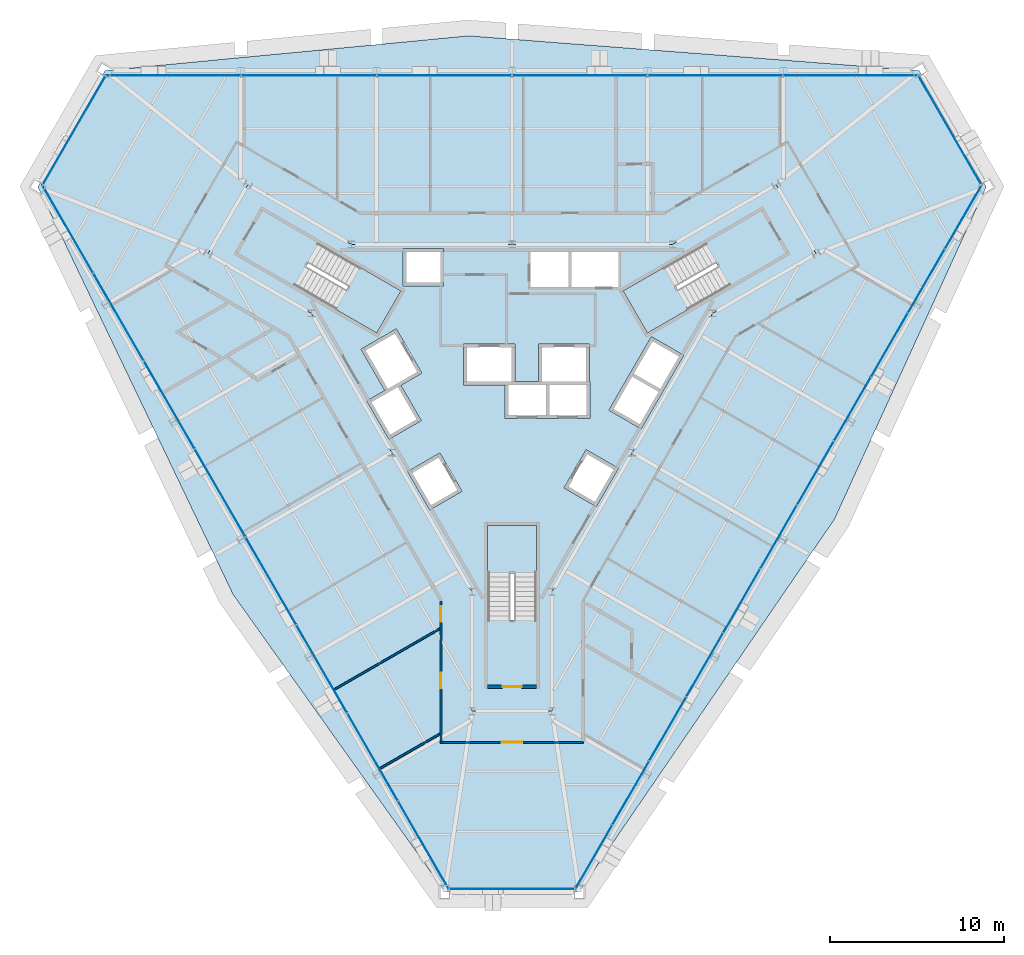
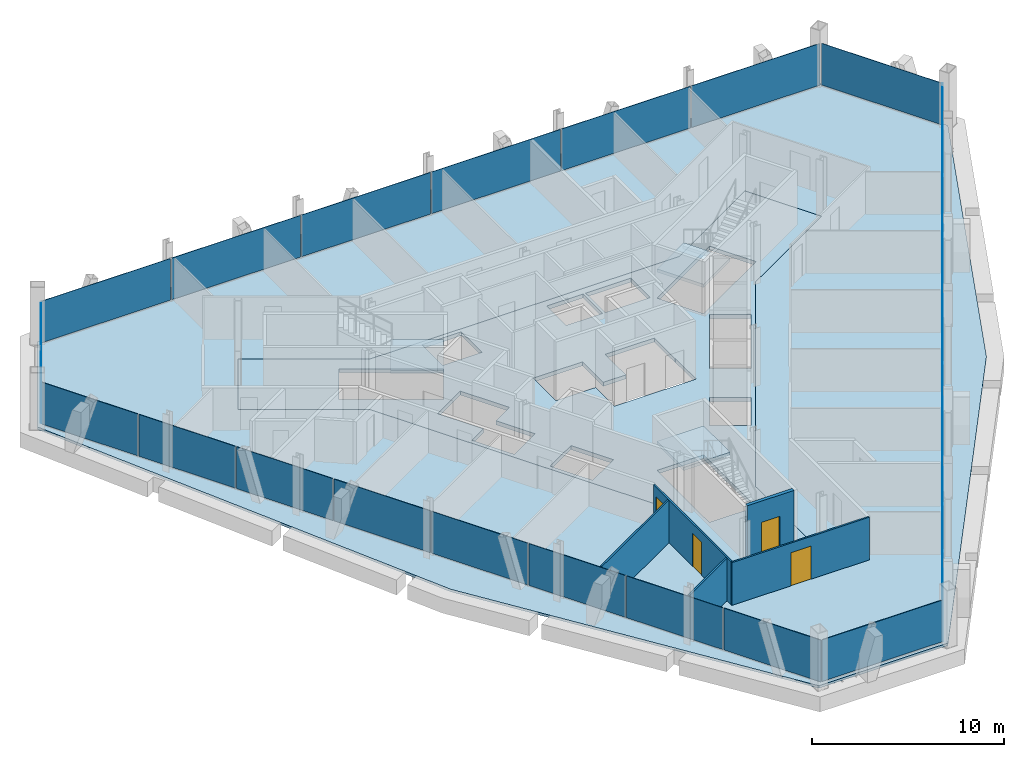
# One storey, part 11 of 17: 28 plates, 5 slabs, 5 walls, 4 doors, 4 openings, 9 elements without a shape of their own.
"""IFC4 building model written with IfcOpenShell, lengths in metres."""

from ifc_helpers import new_model, si_unit, direction, frame, frame_2d, origin, origin_2d, place, context, subcontext, project, spatial, polyline, rectangle, outline, extrude, material, layer, layer_set, type_object, element, fill, aggregate, save


model = new_model("IFC4")

# Units and contexts
model_context = context("Model", 3, precision=1e-05, world=origin(), true_north=direction((0.0, 1.0)))
body_context = subcontext(model_context, "Body", "Model", "MODEL_VIEW")
ifc_project = project(units=[si_unit("LENGTHUNIT", "METRE"), si_unit("AREAUNIT", "SQUARE_METRE"), si_unit("VOLUMEUNIT", "CUBIC_METRE"), si_unit("PLANEANGLEUNIT", "RADIAN"), si_unit("MASSUNIT", "GRAM", prefix="KILO")], contexts=[model_context])

# Site, building, storey
site_placement = place(None, origin())
site = spatial("IfcSite", under=ifc_project, at=site_placement, CompositionType="ELEMENT")
building_placement = place(site_placement, origin())
building = spatial("IfcBuilding", under=site, at=building_placement, Name="Verrane Prism Tower", CompositionType="ELEMENT")
storey_placement = place(building_placement, frame((0.0, 0.0, 182.10009765625)))
storey = spatial("IfcBuildingStorey", under=building, at=storey_placement, Name="L45", CompositionType="ELEMENT", Elevation=182.10009765625)

# Slabs
ifc_material_1 = material(Name="Concrete C35/45", Category="concrete")
ifc_layer_1 = layer(ifc_material_1, 0.159912109375)
ifc_layer_set_1 = layer_set([ifc_layer_1], Name="Composite floor slab")
slab_type_1 = type_object("IfcSlabType", Name="Composite floor slab", PredefinedType="FLOOR", material=ifc_layer_set_1)
slab_1_placement = place(storey_placement, frame((0.0, 0.0, -0.16015625)))
element("IfcSlab", 1, at=slab_1_placement, inside=storey, type_object=slab_type_1, Name="Floor slab L45", PredefinedType="FLOOR", context=body_context, shape_type="SweptSolid", body=[
    extrude(outline(polyline([(18.580078125, -7.838623046875), (3.87109375, -29.315185546875), (-3.87109375, -29.315185546875), (-16.078369140625, -12.17138671875), (-27.3232421875, 11.30517578125), (-23.4521484375, 18.010009765625), (-2.501708984375, 20.010009765625), (23.4521484375, 18.010009765625), (27.3232421875, 11.30517578125), (18.580078125, -7.838623046875)]), holes=[polyline([(17.52001953125, 7.4599609375), (15.219970703125, 11.43994140625), (9.260009765625, 8.0), (0.0, 8.0), (-9.260009765625, 8.0), (-15.219970703125, 11.43994140625), (-17.52001953125, 7.4599609375), (-11.56005859375, 4.02001953125), (-6.929931640625, -4.0), (-2.300048828125, -12.02001953125), (-2.300048828125, -18.89990234375), (2.300048828125, -18.89990234375), (2.300048828125, -12.02001953125), (6.929931640625, -4.0), (11.56005859375, 4.02001953125), (17.52001953125, 7.4599609375)])]), origin(), (0.0, 0.0, 1.0), 0.16015625),
])
ifc_material_2 = material(Name="Concrete C40/50", Category="concrete")
ifc_layer_2 = layer(ifc_material_2, 0.25)
ifc_layer_set_2 = layer_set([ifc_layer_2], Name="Core floor slab 250 concrete C40/50")
slab_type_2 = type_object("IfcSlabType", Name="Core floor slab 250 concrete C40/50", PredefinedType="FLOOR", material=ifc_layer_set_2)
slab_2_placement = place(storey_placement, frame((0.0, 0.0, -0.25)))
element("IfcSlab", 2, at=slab_2_placement, inside=storey, type_object=slab_type_2, Name="Core floor L45", PredefinedType="FLOOR", context=body_context, shape_type="SweptSolid", body=[
    extrude(outline(polyline([(11.56005859375, 4.02001953125), (17.52001953125, 7.4599609375), (15.219970703125, 11.43994140625), (9.260009765625, 8.0), (0.0, 8.0), (-9.260009765625, 8.0), (-15.219970703125, 11.43994140625), (-17.52001953125, 7.4599609375), (-11.56005859375, 4.02001953125), (-6.929931640625, -4.0), (-2.300048828125, -12.02001953125), (-2.300048828125, -18.89990234375), (2.300048828125, -18.89990234375), (2.300048828125, -12.02001953125), (6.929931640625, -4.0), (11.56005859375, 4.02001953125)]), holes=[polyline([(1.39990234375, -8.199951171875), (1.39990234375, -13.639892578125), (-1.39990234375, -13.639892578125), (-1.39990234375, -8.199951171875), (1.39990234375, -8.199951171875)]), polyline([(-2.881103515625, -6.22998046875), (-4.742919921875, -7.304931640625), (-6.01806640625, -5.096923828125), (-4.156005859375, -4.02197265625), (-2.881103515625, -6.22998046875)]), polyline([(-7.801025390625, 2.887939453125), (-12.512939453125, 5.60791015625), (-11.113037109375, 8.031982421875), (-6.40087890625, 5.31201171875), (-7.801025390625, 2.887939453125)]), polyline([(-6.284912109375, 5.610107421875), (-6.284912109375, 7.760009765625), (-3.93505859375, 7.760009765625), (-3.93505859375, 5.610107421875), (-6.284912109375, 5.610107421875)]), polyline([(4.26611328125, -3.8310546875), (6.1279296875, -4.906005859375), (4.85302734375, -7.114990234375), (2.990966796875, -6.0400390625), (4.26611328125, -3.8310546875)]), polyline([(7.43798828125, -2.636962890625), (5.575927734375, -1.56201171875), (8.02587890625, 2.680908203125), (9.887939453125, 1.60595703125), (7.43798828125, -2.636962890625)]), polyline([(0.1650390625, 0.10009765625), (1.52490234375, 0.10009765625), (1.52490234375, 2.25), (4.47509765625, 2.25), (4.47509765625, 0.10009765625), (4.4951171875, 0.10009765625), (4.4951171875, -2.050048828125), (-0.405029296875, -2.050048828125), (-0.405029296875, -0.10009765625), (-2.784912109375, -0.10009765625), (-2.784912109375, 2.25), (0.1650390625, 2.25), (0.1650390625, 0.10009765625)]), polyline([(6.40087890625, 5.31201171875), (11.113037109375, 8.031982421875), (12.512939453125, 5.60791015625), (7.801025390625, 2.887939453125), (6.40087890625, 5.31201171875)]), polyline([(1.074951171875, 5.534912109375), (1.074951171875, 7.56005859375), (3.264892578125, 7.56005859375), (3.264892578125, 5.534912109375), (1.074951171875, 5.534912109375)]), polyline([(3.4150390625, 7.56005859375), (6.125, 7.56005859375), (6.125, 5.534912109375), (3.4150390625, 5.534912109375), (3.4150390625, 7.56005859375)]), polyline([(-5.23095703125, -2.159912109375), (-7.093017578125, -3.235107421875), (-8.367919921875, -1.02587890625), (-7.3291015625, -0.426025390625), (-8.7041015625, 1.955078125), (-6.66796875, 3.1298828125), (-5.193115234375, 0.574951171875), (-6.406005859375, -0.125), (-5.23095703125, -2.159912109375)])]), origin(), (0.0, 0.0, 1.0), 0.25),
])

# Curtain wall, plates
ifc_material_3 = material(Name="Aluminium framed insulated glazing", Category="aluminium")
curtain_wall_type_1 = type_object("IfcCurtainWallType", Name="Curtain wall CW-C 4200 module", PredefinedType="NOTDEFINED", material=ifc_material_3)
curtain_wall_1_placement = place(storey_placement, origin())
curtain_wall_1 = element("IfcCurtainWall", 3, at=curtain_wall_1_placement, inside=storey, type_object=curtain_wall_type_1, Name="Glazed curtain wall south-east face L45", PredefinedType="NOTDEFINED")
ifc_material_4 = material(Name="Low-iron insulating glass unit", Category="glass")
ifc_layer_3 = layer(ifc_material_4, 0.02392578125)
ifc_layer_set_3 = layer_set([ifc_layer_3], Name="Glazing panel IGU 24")
plate_type_1 = type_object("IfcPlateType", Name="Glazing panel IGU 24", PredefinedType="CURTAIN_PANEL", material=ifc_layer_set_3)
plate_1_placement = place(storey_placement, frame((4.7216796875, -27.283935546875, 0.0498046875), z_axis=(0.0, 0.0, 1.0), x_axis=(0.499999427701, 0.866025734201, 0.0)))
plate_1 = element("IfcPlate", 4, at=plate_1_placement, type_object=plate_type_1, Name="CW44.6 panel 1", PredefinedType="CURTAIN_PANEL", context=body_context, shape_type="SweptSolid", body=[
    extrude(rectangle(XDim=4.18115234375, YDim=0.02392578125, at=origin_2d()), origin(), (0.0, 0.0, 1.0), 2.662841796875),
])
plate_2_placement = place(storey_placement, frame((6.84326171875, -23.60888671875, 0.0498046875), z_axis=(0.0, 0.0, 1.0), x_axis=(0.499999427701, 0.866025734201, 0.0)))
plate_2 = element("IfcPlate", 5, at=plate_2_placement, type_object=plate_type_1, Name="CW44.6 panel 2", PredefinedType="CURTAIN_PANEL", context=body_context, shape_type="SweptSolid", body=[
    extrude(rectangle(XDim=4.2060546875, YDim=0.02392578125, at=origin_2d()), origin(), (0.0, 0.0, 1.0), 2.662841796875),
])
plate_3_placement = place(storey_placement, frame((8.971435546875, -19.923095703125, 0.0498046875), z_axis=(0.0, 0.0, 1.0), x_axis=(0.499999427701, 0.866025734201, 0.0)))
plate_3 = element("IfcPlate", 6, at=plate_3_placement, type_object=plate_type_1, Name="CW44.6 panel 3", PredefinedType="CURTAIN_PANEL", context=body_context, shape_type="SweptSolid", body=[
    extrude(rectangle(XDim=4.2060546875, YDim=0.02392578125, at=origin_2d()), origin(), (0.0, 0.0, 1.0), 2.662841796875),
])
plate_4_placement = place(storey_placement, frame((11.099365234375, -16.2373046875, 0.0498046875), z_axis=(0.0, 0.0, 1.0), x_axis=(0.499999427701, 0.866025734201, 0.0)))
plate_4 = element("IfcPlate", 7, at=plate_4_placement, type_object=plate_type_1, Name="CW44.6 panel 4", PredefinedType="CURTAIN_PANEL", context=body_context, shape_type="SweptSolid", body=[
    extrude(rectangle(XDim=4.2060546875, YDim=0.02392578125, at=origin_2d()), origin(), (0.0, 0.0, 1.0), 2.662841796875),
])
plate_5_placement = place(storey_placement, frame((13.2275390625, -12.55126953125, 0.0498046875), z_axis=(0.0, 0.0, 1.0), x_axis=(0.499999427701, 0.866025734201, 0.0)))
plate_5 = element("IfcPlate", 8, at=plate_5_placement, type_object=plate_type_1, Name="CW44.6 panel 5", PredefinedType="CURTAIN_PANEL", context=body_context, shape_type="SweptSolid", body=[
    extrude(rectangle(XDim=4.2060546875, YDim=0.02392578125, at=origin_2d()), origin(), (0.0, 0.0, 1.0), 2.662841796875),
])
plate_6_placement = place(storey_placement, frame((15.35546875, -8.865478515625, 0.0498046875), z_axis=(0.0, 0.0, 1.0), x_axis=(0.499999427701, 0.866025734201, 0.0)))
plate_6 = element("IfcPlate", 9, at=plate_6_placement, type_object=plate_type_1, Name="CW44.6 panel 6", PredefinedType="CURTAIN_PANEL", context=body_context, shape_type="SweptSolid", body=[
    extrude(rectangle(XDim=4.2060546875, YDim=0.02392578125, at=origin_2d()), origin(), (0.0, 0.0, 1.0), 2.662841796875),
])
plate_7_placement = place(storey_placement, frame((17.483642578125, -5.1796875, 0.0498046875), z_axis=(0.0, 0.0, 1.0), x_axis=(0.499999427701, 0.866025734201, 0.0)))
plate_7 = element("IfcPlate", 10, at=plate_7_placement, type_object=plate_type_1, Name="CW44.6 panel 7", PredefinedType="CURTAIN_PANEL", context=body_context, shape_type="SweptSolid", body=[
    extrude(rectangle(XDim=4.2060546875, YDim=0.02392578125, at=origin_2d()), origin(), (0.0, 0.0, 1.0), 2.662841796875),
])
plate_8_placement = place(storey_placement, frame((19.611572265625, -1.49365234375, 0.0498046875), z_axis=(0.0, 0.0, 1.0), x_axis=(0.499999427701, 0.866025734201, 0.0)))
plate_8 = element("IfcPlate", 11, at=plate_8_placement, type_object=plate_type_1, Name="CW44.6 panel 8", PredefinedType="CURTAIN_PANEL", context=body_context, shape_type="SweptSolid", body=[
    extrude(rectangle(XDim=4.2060546875, YDim=0.02392578125, at=origin_2d()), origin(), (0.0, 0.0, 1.0), 2.662841796875),
])
plate_9_placement = place(storey_placement, frame((21.739501953125, 2.192138671875, 0.0498046875), z_axis=(0.0, 0.0, 1.0), x_axis=(0.499999427701, 0.866025734201, 0.0)))
plate_9 = element("IfcPlate", 12, at=plate_9_placement, type_object=plate_type_1, Name="CW44.6 panel 9", PredefinedType="CURTAIN_PANEL", context=body_context, shape_type="SweptSolid", body=[
    extrude(rectangle(XDim=4.2060546875, YDim=0.02392578125, at=origin_2d()), origin(), (0.0, 0.0, 1.0), 2.662841796875),
])
plate_10_placement = place(storey_placement, frame((23.86767578125, 5.8779296875, 0.0498046875), z_axis=(0.0, 0.0, 1.0), x_axis=(0.499999427701, 0.866025734201, 0.0)))
plate_10 = element("IfcPlate", 13, at=plate_10_placement, type_object=plate_type_1, Name="CW44.6 panel 10", PredefinedType="CURTAIN_PANEL", context=body_context, shape_type="SweptSolid", body=[
    extrude(rectangle(XDim=4.2060546875, YDim=0.02392578125, at=origin_2d()), origin(), (0.0, 0.0, 1.0), 2.662841796875),
])
plate_11_placement = place(storey_placement, frame((26.001953125, 9.57470703125, 0.0498046875), z_axis=(0.0, 0.0, 1.0), x_axis=(0.499999427701, 0.866025734201, 0.0)))
plate_11 = element("IfcPlate", 14, at=plate_11_placement, type_object=plate_type_1, Name="CW44.6 panel 11", PredefinedType="CURTAIN_PANEL", context=body_context, shape_type="SweptSolid", body=[
    extrude(rectangle(XDim=4.23095703125, YDim=0.02392578125, at=origin_2d()), origin(), (0.0, 0.0, 1.0), 2.662841796875),
])
aggregate(curtain_wall_1, [plate_1, plate_2, plate_3, plate_4, plate_5, plate_6, plate_7, plate_8, plate_9, plate_10, plate_11])

ifc_material_5 = material(Name="Aluminium framed insulated glazing", Category="aluminium")
curtain_wall_type_2 = type_object("IfcCurtainWallType", Name="Curtain wall CW-B 5600 module", PredefinedType="NOTDEFINED", material=ifc_material_5)
curtain_wall_2_placement = place(storey_placement, origin())
curtain_wall_2 = element("IfcCurtainWall", 15, at=curtain_wall_2_placement, inside=storey, type_object=curtain_wall_type_2, Name="Glazed curtain wall south-west face L45", PredefinedType="NOTDEFINED")
ifc_material_6 = material(Name="Low-iron insulating glass unit", Category="glass")
ifc_layer_4 = layer(ifc_material_6, 0.028076171875)
ifc_layer_set_4 = layer_set([ifc_layer_4], Name="Glazing panel IGU 28")
plate_type_2 = type_object("IfcPlateType", Name="Glazing panel IGU 28", PredefinedType="CURTAIN_PANEL", material=ifc_layer_set_4)
plate_12_placement = place(storey_placement, frame((-25.589111328125, 8.85986328125, 0.059814453125), z_axis=(0.0, 0.0, 1.0), x_axis=(0.499999427701, -0.866025734201, 0.0)))
plate_12 = element("IfcPlate", 16, at=plate_12_placement, type_object=plate_type_2, Name="CW44.4 panel 1", PredefinedType="CURTAIN_PANEL", context=body_context, shape_type="SweptSolid", body=[
    extrude(rectangle(XDim=5.76220703125, YDim=0.028076171875, at=origin_2d()), origin(), (0.0, 0.0, 1.0), 2.65283203125),
])
plate_13_placement = place(storey_placement, frame((-22.670654296875, 3.8046875, 0.059814453125), z_axis=(0.0, 0.0, 1.0), x_axis=(0.499999427701, -0.866025734201, 0.0)))
plate_13 = element("IfcPlate", 17, at=plate_13_placement, type_object=plate_type_2, Name="CW44.4 panel 2", PredefinedType="CURTAIN_PANEL", context=body_context, shape_type="SweptSolid", body=[
    extrude(rectangle(XDim=5.7919921875, YDim=0.028076171875, at=origin_2d()), origin(), (0.0, 0.0, 1.0), 2.65283203125),
])
plate_14_placement = place(storey_placement, frame((-19.74462890625, -1.263427734375, 0.059814453125), z_axis=(0.0, 0.0, 1.0), x_axis=(0.499999427701, -0.866025734201, 0.0)))
plate_14 = element("IfcPlate", 18, at=plate_14_placement, type_object=plate_type_2, Name="CW44.4 panel 3", PredefinedType="CURTAIN_PANEL", context=body_context, shape_type="SweptSolid", body=[
    extrude(rectangle(XDim=5.7919921875, YDim=0.028076171875, at=origin_2d()), origin(), (0.0, 0.0, 1.0), 2.65283203125),
])
plate_15_placement = place(storey_placement, frame((-16.818603515625, -6.33154296875, 0.059814453125), z_axis=(0.0, 0.0, 1.0), x_axis=(0.499999427701, -0.866025734201, 0.0)))
plate_15 = element("IfcPlate", 19, at=plate_15_placement, type_object=plate_type_2, Name="CW44.4 panel 4", PredefinedType="CURTAIN_PANEL", context=body_context, shape_type="SweptSolid", body=[
    extrude(rectangle(XDim=5.7919921875, YDim=0.028076171875, at=origin_2d()), origin(), (0.0, 0.0, 1.0), 2.65283203125),
])
plate_16_placement = place(storey_placement, frame((-13.892578125, -11.399658203125, 0.059814453125), z_axis=(0.0, 0.0, 1.0), x_axis=(0.499999427701, -0.866025734201, 0.0)))
plate_16 = element("IfcPlate", 20, at=plate_16_placement, type_object=plate_type_2, Name="CW44.4 panel 5", PredefinedType="CURTAIN_PANEL", context=body_context, shape_type="SweptSolid", body=[
    extrude(rectangle(XDim=5.7919921875, YDim=0.028076171875, at=origin_2d()), origin(), (0.0, 0.0, 1.0), 2.65283203125),
])
plate_17_placement = place(storey_placement, frame((-10.96630859375, -16.467529296875, 0.059814453125), z_axis=(0.0, 0.0, 1.0), x_axis=(0.499999427701, -0.866025734201, 0.0)))
plate_17 = element("IfcPlate", 21, at=plate_17_placement, type_object=plate_type_2, Name="CW44.4 panel 6", PredefinedType="CURTAIN_PANEL", context=body_context, shape_type="SweptSolid", body=[
    extrude(rectangle(XDim=5.7919921875, YDim=0.028076171875, at=origin_2d()), origin(), (0.0, 0.0, 1.0), 2.65283203125),
])
plate_18_placement = place(storey_placement, frame((-8.040283203125, -21.53564453125, 0.059814453125), z_axis=(0.0, 0.0, 1.0), x_axis=(0.499999427701, -0.866025734201, 0.0)))
plate_18 = element("IfcPlate", 22, at=plate_18_placement, type_object=plate_type_2, Name="CW44.4 panel 7", PredefinedType="CURTAIN_PANEL", context=body_context, shape_type="SweptSolid", body=[
    extrude(rectangle(XDim=5.7919921875, YDim=0.028076171875, at=origin_2d()), origin(), (0.0, 0.0, 1.0), 2.65283203125),
])
plate_19_placement = place(storey_placement, frame((-5.10693359375, -26.61669921875, 0.059814453125), z_axis=(0.0, 0.0, 1.0), x_axis=(0.499999427701, -0.866025734201, 0.0)))
plate_19 = element("IfcPlate", 23, at=plate_19_placement, type_object=plate_type_2, Name="CW44.4 panel 8", PredefinedType="CURTAIN_PANEL", context=body_context, shape_type="SweptSolid", body=[
    extrude(rectangle(XDim=5.822021484375, YDim=0.028076171875, at=origin_2d()), origin(), (0.0, 0.0, 1.0), 2.65283203125),
])
aggregate(curtain_wall_2, [plate_12, plate_13, plate_14, plate_15, plate_16, plate_17, plate_18, plate_19])

# Curtain wall, plate
ifc_material_7 = material(Name="Aluminium framed insulated glazing", Category="aluminium")
curtain_wall_type_3 = type_object("IfcCurtainWallType", Name="Curtain wall CW-A 8400 module", PredefinedType="NOTDEFINED", material=ifc_material_7)
curtain_wall_3_placement = place(storey_placement, origin())
curtain_wall_3 = element("IfcCurtainWall", 24, at=curtain_wall_3_placement, inside=storey, type_object=curtain_wall_type_3, Name="Glazed curtain wall north-east corner L45", PredefinedType="NOTDEFINED")
ifc_material_8 = material(Name="Low-iron insulating glass unit", Category="glass")
ifc_layer_5 = layer(ifc_material_8, 0.031982421875)
ifc_layer_set_5 = layer_set([ifc_layer_5], Name="Glazing panel IGU 32")
plate_type_3 = type_object("IfcPlateType", Name="Glazing panel IGU 32", PredefinedType="CURTAIN_PANEL", material=ifc_layer_set_5)
plate_20_placement = place(storey_placement, frame((25.216552734375, 14.59912109375, 0.06982421875), z_axis=(0.0, 0.0, 1.0), x_axis=(-0.500002200696, 0.866024133208, 0.0)))
plate_20 = element("IfcPlate", 25, at=plate_20_placement, type_object=plate_type_3, Name="CW44.1 panel 1", PredefinedType="CURTAIN_PANEL", context=body_context, shape_type="SweptSolid", body=[
    extrude(rectangle(XDim=7.232666015625, YDim=0.031982421875, at=origin_2d()), origin(), (0.0, 0.0, 1.0), 2.642822265625),
])
aggregate(curtain_wall_3, [plate_20])

# Curtain wall, plates
curtain_wall_4_placement = place(storey_placement, origin())
curtain_wall_4 = element("IfcCurtainWall", 26, at=curtain_wall_4_placement, inside=storey, type_object=curtain_wall_type_3, Name="Glazed curtain wall north face L45", PredefinedType="NOTDEFINED")
plate_21_placement = place(storey_placement, frame((19.489501953125, 17.73095703125, 0.06982421875), z_axis=(0.0, 0.0, 1.0), x_axis=(-1.0, 0.0, 0.0)))
plate_21 = element("IfcPlate", 27, at=plate_21_placement, type_object=plate_type_3, Name="CW44.2 panel 1", PredefinedType="CURTAIN_PANEL", context=body_context, shape_type="SweptSolid", body=[
    extrude(rectangle(XDim=7.69775390625, YDim=0.031982421875, at=origin_2d()), origin(), (0.0, 0.0, 1.0), 2.642822265625),
])
plate_22_placement = place(storey_placement, frame((11.7041015625, 17.73095703125, 0.06982421875), z_axis=(0.0, 0.0, 1.0), x_axis=(-1.0, 0.0, 0.0)))
plate_22 = element("IfcPlate", 28, at=plate_22_placement, type_object=plate_type_3, Name="CW44.2 panel 2", PredefinedType="CURTAIN_PANEL", context=body_context, shape_type="SweptSolid", body=[
    extrude(rectangle(XDim=7.73291015625, YDim=0.031982421875, at=origin_2d()), origin(), (0.0, 0.0, 1.0), 2.642822265625),
])
plate_23_placement = place(storey_placement, frame((3.9013671875, 17.73095703125, 0.06982421875), z_axis=(0.0, 0.0, 1.0), x_axis=(-1.0, 0.0, 0.0)))
plate_23 = element("IfcPlate", 29, at=plate_23_placement, type_object=plate_type_3, Name="CW44.2 panel 3", PredefinedType="CURTAIN_PANEL", context=body_context, shape_type="SweptSolid", body=[
    extrude(rectangle(XDim=7.73291015625, YDim=0.031982421875, at=origin_2d()), origin(), (0.0, 0.0, 1.0), 2.642822265625),
])
plate_24_placement = place(storey_placement, frame((-3.9013671875, 17.73095703125, 0.06982421875), z_axis=(0.0, 0.0, 1.0), x_axis=(-1.0, 0.0, 0.0)))
plate_24 = element("IfcPlate", 30, at=plate_24_placement, type_object=plate_type_3, Name="CW44.2 panel 4", PredefinedType="CURTAIN_PANEL", context=body_context, shape_type="SweptSolid", body=[
    extrude(rectangle(XDim=7.73291015625, YDim=0.031982421875, at=origin_2d()), origin(), (0.0, 0.0, 1.0), 2.642822265625),
])
plate_25_placement = place(storey_placement, frame((-11.7041015625, 17.73095703125, 0.06982421875), z_axis=(0.0, 0.0, 1.0), x_axis=(-1.0, 0.0, 0.0)))
plate_25 = element("IfcPlate", 31, at=plate_25_placement, type_object=plate_type_3, Name="CW44.2 panel 5", PredefinedType="CURTAIN_PANEL", context=body_context, shape_type="SweptSolid", body=[
    extrude(rectangle(XDim=7.73291015625, YDim=0.031982421875, at=origin_2d()), origin(), (0.0, 0.0, 1.0), 2.642822265625),
])
plate_26_placement = place(storey_placement, frame((-19.5244140625, 17.73095703125, 0.06982421875), z_axis=(0.0, 0.0, 1.0), x_axis=(-1.0, 0.0, 0.0)))
plate_26 = element("IfcPlate", 32, at=plate_26_placement, type_object=plate_type_3, Name="CW44.2 panel 6", PredefinedType="CURTAIN_PANEL", context=body_context, shape_type="SweptSolid", body=[
    extrude(rectangle(XDim=7.767822265625, YDim=0.031982421875, at=origin_2d()), origin(), (0.0, 0.0, 1.0), 2.642822265625),
])
aggregate(curtain_wall_4, [plate_21, plate_22, plate_23, plate_24, plate_25, plate_26])

# Curtain wall, plate
curtain_wall_5_placement = place(storey_placement, origin())
curtain_wall_5 = element("IfcCurtainWall", 33, at=curtain_wall_5_placement, inside=storey, type_object=curtain_wall_type_3, Name="Glazed curtain wall north-west corner L45", PredefinedType="NOTDEFINED")
plate_27_placement = place(storey_placement, frame((-25.25146484375, 14.53857421875, 0.06982421875), z_axis=(0.0, 0.0, 1.0), x_axis=(-0.500002200696, -0.866024133208, 0.0)))
plate_27 = element("IfcPlate", 34, at=plate_27_placement, type_object=plate_type_3, Name="CW44.3 panel 1", PredefinedType="CURTAIN_PANEL", context=body_context, shape_type="SweptSolid", body=[
    extrude(rectangle(XDim=7.232666015625, YDim=0.031982421875, at=origin_2d()), origin(), (0.0, 0.0, 1.0), 2.642822265625),
])
aggregate(curtain_wall_5, [plate_27])

curtain_wall_6_placement = place(storey_placement, origin())
curtain_wall_6 = element("IfcCurtainWall", 35, at=curtain_wall_6_placement, inside=storey, type_object=curtain_wall_type_3, Name="Glazed curtain wall south corner L45", PredefinedType="NOTDEFINED")
plate_28_placement = place(storey_placement, frame((0.034912109375, -29.1376953125, 0.06982421875), z_axis=(0.0, 0.0, 1.0), x_axis=(1.0, 0.0, 0.0)))
plate_28 = element("IfcPlate", 36, at=plate_28_placement, type_object=plate_type_3, Name="CW44.5 panel 1", PredefinedType="CURTAIN_PANEL", context=body_context, shape_type="SweptSolid", body=[
    extrude(rectangle(XDim=7.232666015625, YDim=0.031982421875, at=origin_2d()), origin(), (0.0, 0.0, 1.0), 2.642822265625),
])
aggregate(curtain_wall_6, [plate_28])

# Stair, slab
ifc_material_9 = material(Name="Concrete C40/50", Category="concrete")
stair_type = type_object("IfcStairType", Name="Exit stair 1300 dog-leg precast concrete C40/50", PredefinedType="HALF_TURN_STAIR", material=ifc_material_9)
stair_1_placement = place(storey_placement, origin())
stair_1 = element("IfcStair", 37, at=stair_1_placement, inside=storey, type_object=stair_type, Name="Stair 1 L45", PredefinedType="HALF_TURN_STAIR")
ifc_material_10 = material(Name="Concrete C40/50", Category="concrete")
ifc_layer_6 = layer(ifc_material_10, 0.199951171875)
ifc_layer_set_6 = layer_set([ifc_layer_6], Name="Stair landing 200 precast concrete C40/50")
slab_type_3 = type_object("IfcSlabType", Name="Stair landing 200 precast concrete C40/50", PredefinedType="LANDING", material=ifc_layer_set_6)
slab_3_placement = place(storey_placement, frame((0.0, 0.0, 1.64990234375)))
slab_3 = element("IfcSlab", 38, at=slab_3_placement, type_object=slab_type_3, Name="Stair 1 landing 1", PredefinedType="LANDING", context=body_context, shape_type="SweptSolid", body=[
    extrude(outline(polyline([(8.791748046875, 6.6923828125), (6.4013671875, 5.3125), (7.801513671875, 2.887451171875), (10.191650390625, 4.267578125), (8.791748046875, 6.6923828125)])), origin(), (0.0, 0.0, 1.0), 0.199951171875),
])
aggregate(stair_1, [slab_3])

stair_2_placement = place(storey_placement, origin())
stair_2 = element("IfcStair", 39, at=stair_2_placement, inside=storey, type_object=stair_type, Name="Stair 2 L45", PredefinedType="HALF_TURN_STAIR")
slab_4_placement = place(storey_placement, frame((0.0, 0.0, 1.64990234375)))
slab_4 = element("IfcSlab", 40, at=slab_4_placement, type_object=slab_type_3, Name="Stair 2 landing 1", PredefinedType="LANDING", context=body_context, shape_type="SweptSolid", body=[
    extrude(outline(polyline([(-10.191650390625, 4.267578125), (-7.801513671875, 2.887451171875), (-6.4013671875, 5.3125), (-8.791748046875, 6.6923828125), (-10.191650390625, 4.267578125)])), origin(), (0.0, 0.0, 1.0), 0.199951171875),
])
aggregate(stair_2, [slab_4])

stair_3_placement = place(storey_placement, origin())
stair_3 = element("IfcStair", 41, at=stair_3_placement, inside=storey, type_object=stair_type, Name="Stair 3 L45", PredefinedType="HALF_TURN_STAIR")
slab_5_placement = place(storey_placement, frame((0.0, 0.0, 1.64990234375)))
slab_5 = element("IfcSlab", 42, at=slab_5_placement, type_object=slab_type_3, Name="Stair 3 landing 1", PredefinedType="LANDING", context=body_context, shape_type="SweptSolid", body=[
    extrude(outline(polyline([(1.39990234375, -10.9599609375), (1.39990234375, -8.199951171875), (-1.39990234375, -8.199951171875), (-1.39990234375, -10.9599609375), (1.39990234375, -10.9599609375)])), origin(), (0.0, 0.0, 1.0), 0.199951171875),
])
aggregate(stair_3, [slab_5])

# Wall, opening, door
ifc_material_11 = material(Name="Concrete C40/50", Category="concrete")
ifc_layer_7 = layer(ifc_material_11, 0.199951171875)
ifc_layer_set_7 = layer_set([ifc_layer_7], Name="CW-200 stair core wall concrete C40/50 3 h")
wall_type_1 = type_object("IfcWallType", Name="CW-200 stair core wall concrete C40/50 3 h", PredefinedType="PARTITIONING", material=ifc_layer_set_7)
wall_1_placement = place(storey_placement, frame((-1.39990234375, -17.5, 0.0), z_axis=(0.0, 0.0, 1.0), x_axis=(1.0, 0.0, 0.0)))
wall_1 = element("IfcWall", 43, at=wall_1_placement, inside=storey, type_object=wall_type_1, Name="Stair 3 enclosure wall", PredefinedType="PARTITIONING", context=body_context, shape_type="SweptSolid", body=[
    extrude(rectangle(XDim=2.7998046875, YDim=0.199951171875, at=frame_2d((1.39990234375, 0.0))), origin(), (0.0, 0.0, 1.0), 3.449951171875),
])
opening_1_placement = place(wall_1_placement, frame((0.85009765625, 0.0, 0.0)))
opening_1 = element("IfcOpeningElement", 44, at=opening_1_placement, cuts=wall_1, Name="Opening D44502", PredefinedType="OPENING", context=body_context, shape_type="SweptSolid", body=[
    extrude(rectangle(XDim=1.10009765625, YDim=2.10009765625, at=frame_2d((0.550048828125, 1.050048828125))), frame((0.0, 0.10986328125, 0.0), z_axis=(0.0, -1.0, 0.0), x_axis=(1.0, 0.0, 0.0)), (0.0, 0.0, 1.0), 0.219970703125),
])
ifc_material_12 = material(Name="Timber veneered door leaf", Category="wood")
door_type_1 = type_object("IfcDoorType", Name="DR-1100x2100 FD90 single leaf stair", OperationType="NOTDEFINED", PredefinedType="DOOR", material=ifc_material_12)
door_1_placement = place(opening_1_placement, origin())
door_1 = element("IfcDoor", 45, at=door_1_placement, inside=storey, type_object=door_type_1, Name="Stair 3 door", OperationType="SINGLE_SWING_LEFT", OverallHeight=2.10009765625, OverallWidth=1.10009765625, PredefinedType="DOOR", context=body_context, shape_type="SweptSolid", body=[
    extrude(rectangle(XDim=1.10009765625, YDim=2.10009765625, at=frame_2d((0.550048828125, 1.050048828125))), frame((0.0, 0.02490234375, 0.0), z_axis=(0.0, -1.0, 0.0), x_axis=(1.0, 0.0, 0.0)), (0.0, 0.0, 1.0), 0.050048828125),
])
fill(opening_1, door_1)

# Walls
ifc_material_13 = material(Name="Gypsum board partition", Category="other")
ifc_layer_8 = layer(ifc_material_13, 0.10009765625)
ifc_layer_set_8 = layer_set([ifc_layer_8], Name="PW-100 room partition")
wall_type_2 = type_object("IfcWallType", Name="PW-100 room partition", PredefinedType="PARTITIONING", material=ifc_layer_set_8)
wall_2_placement = place(storey_placement, frame((-10.188720703125, -17.623046875, 0.0), z_axis=(0.0, 0.0, 1.0), x_axis=(0.866045070519, 0.499965934669, 0.0)))
element("IfcWall", 46, at=wall_2_placement, inside=storey, type_object=wall_type_2, Name="Room partition 015", PredefinedType="PARTITIONING", context=body_context, shape_type="SweptSolid", body=[
    extrude(rectangle(XDim=6.94384765625, YDim=0.10009765625, at=frame_2d((3.471923828125, 0.0))), origin(), (0.0, 0.0, 1.0), 2.712890625),
])
wall_3_placement = place(storey_placement, frame((-7.561767578125, -22.173095703125, 0.0), z_axis=(0.0, 0.0, 1.0), x_axis=(0.866079547155, 0.499906209203, 0.0)))
element("IfcWall", 47, at=wall_3_placement, inside=storey, type_object=wall_type_2, Name="Room partition 018", PredefinedType="PARTITIONING", context=body_context, shape_type="SweptSolid", body=[
    extrude(rectangle(XDim=3.910400390625, YDim=0.10009765625, at=frame_2d((1.955078125, 0.0))), origin(), (0.0, 0.0, 1.0), 2.712890625),
])

# Wall, openings, doors
wall_4_placement = place(storey_placement, frame((-4.10009765625, -20.64990234375, 0.0), z_axis=(0.0, 0.0, 1.0), x_axis=(0.0, 1.0, 0.0)))
wall_4 = element("IfcWall", 48, at=wall_4_placement, inside=storey, type_object=wall_type_2, Name="Room partition 020", PredefinedType="PARTITIONING", context=body_context, shape_type="SweptSolid", body=[
    extrude(rectangle(XDim=8.06298828125, YDim=0.10009765625, at=frame_2d((4.031494140625, 0.0))), origin(), (0.0, 0.0, 1.0), 2.712890625),
])
opening_2_placement = place(wall_4_placement, frame((6.89208984375, 0.0, 0.0)))
opening_2 = element("IfcOpeningElement", 49, at=opening_2_placement, cuts=wall_4, Name="Opening D44023", PredefinedType="OPENING", context=body_context, shape_type="SweptSolid", body=[
    extrude(rectangle(XDim=0.89990234375, YDim=2.10009765625, at=frame_2d((0.449951171875, 1.050048828125))), frame((0.0, 0.06005859375, 0.0), z_axis=(0.0, -1.0, 0.0), x_axis=(1.0, 0.0, 0.0)), (0.0, 0.0, 1.0), 0.1201171875),
])
opening_3_placement = place(wall_4_placement, frame((3.074951171875, 0.0, 0.0)))
opening_3 = element("IfcOpeningElement", 50, at=opening_3_placement, cuts=wall_4, Name="Opening D44024", PredefinedType="OPENING", context=body_context, shape_type="SweptSolid", body=[
    extrude(rectangle(XDim=0.89990234375, YDim=2.10009765625, at=frame_2d((0.449951171875, 1.050048828125))), frame((0.0, 0.06005859375, 0.0), z_axis=(0.0, -1.0, 0.0), x_axis=(1.0, 0.0, 0.0)), (0.0, 0.0, 1.0), 0.1201171875),
])
ifc_material_14 = material(Name="Timber veneered door leaf", Category="wood")
door_type_2 = type_object("IfcDoorType", Name="DR-900x2100 single leaf unit", OperationType="NOTDEFINED", PredefinedType="DOOR", material=ifc_material_14)
door_2_placement = place(opening_2_placement, origin())
door_2 = element("IfcDoor", 51, at=door_2_placement, inside=storey, type_object=door_type_2, Name="Study door", OperationType="SINGLE_SWING_LEFT", OverallHeight=2.10009765625, OverallWidth=0.89990234375, PredefinedType="DOOR", context=body_context, shape_type="SweptSolid", body=[
    extrude(rectangle(XDim=0.89990234375, YDim=2.10009765625, at=frame_2d((0.449951171875, 1.050048828125))), frame((0.0, 0.02490234375, 0.0), z_axis=(0.0, -1.0, 0.0), x_axis=(1.0, 0.0, 0.0)), (0.0, 0.0, 1.0), 0.050048828125),
])
fill(opening_2, door_2)
door_3_placement = place(opening_3_placement, origin())
door_3 = element("IfcDoor", 52, at=door_3_placement, inside=storey, type_object=door_type_2, Name="Study door", OperationType="SINGLE_SWING_RIGHT", OverallHeight=2.10009765625, OverallWidth=0.89990234375, PredefinedType="DOOR", context=body_context, shape_type="SweptSolid", body=[
    extrude(rectangle(XDim=0.89990234375, YDim=2.10009765625, at=frame_2d((0.449951171875, 1.050048828125))), frame((0.0, 0.02490234375, 0.0), z_axis=(0.0, -1.0, 0.0), x_axis=(1.0, 0.0, 0.0)), (0.0, 0.0, 1.0), 0.050048828125),
])
fill(opening_3, door_3)

# Wall, opening, door
wall_5_placement = place(storey_placement, frame((4.10009765625, -20.699951171875, 0.0), z_axis=(0.0, 0.0, 1.0), x_axis=(-1.0, 0.0, 0.0)))
wall_5 = element("IfcWall", 53, at=wall_5_placement, inside=storey, type_object=wall_type_2, Name="Room partition 021", PredefinedType="PARTITIONING", context=body_context, shape_type="SweptSolid", body=[
    extrude(rectangle(XDim=8.25, YDim=0.10009765625, at=frame_2d((4.125, 0.0))), origin(), (0.0, 0.0, 1.0), 2.712890625),
])
opening_4_placement = place(wall_5_placement, frame((3.5, 0.0, 0.0)))
opening_4 = element("IfcOpeningElement", 54, at=opening_4_placement, cuts=wall_5, Name="Opening D44025", PredefinedType="OPENING", context=body_context, shape_type="SweptSolid", body=[
    extrude(rectangle(XDim=1.199951171875, YDim=2.10009765625, at=frame_2d((0.60009765625, 1.050048828125))), frame((0.0, 0.06005859375, 0.0), z_axis=(0.0, -1.0, 0.0), x_axis=(1.0, 0.0, 0.0)), (0.0, 0.0, 1.0), 0.1201171875),
])
ifc_material_15 = material(Name="Timber veneered door leaf", Category="wood")
door_type_3 = type_object("IfcDoorType", Name="DR-1200x2100 single leaf unit", OperationType="NOTDEFINED", PredefinedType="DOOR", material=ifc_material_15)
door_4_placement = place(opening_4_placement, origin())
door_4 = element("IfcDoor", 55, at=door_4_placement, inside=storey, type_object=door_type_3, Name="Living And Dining Room door", OperationType="SINGLE_SWING_RIGHT", OverallHeight=2.10009765625, OverallWidth=1.199951171875, PredefinedType="DOOR", context=body_context, shape_type="SweptSolid", body=[
    extrude(rectangle(XDim=1.199951171875, YDim=2.10009765625, at=frame_2d((0.60009765625, 1.050048828125))), frame((0.0, 0.02490234375, 0.0), z_axis=(0.0, -1.0, 0.0), x_axis=(1.0, 0.0, 0.0)), (0.0, 0.0, 1.0), 0.050048828125),
])
fill(opening_4, door_4)

save(model, "model.ifc")
